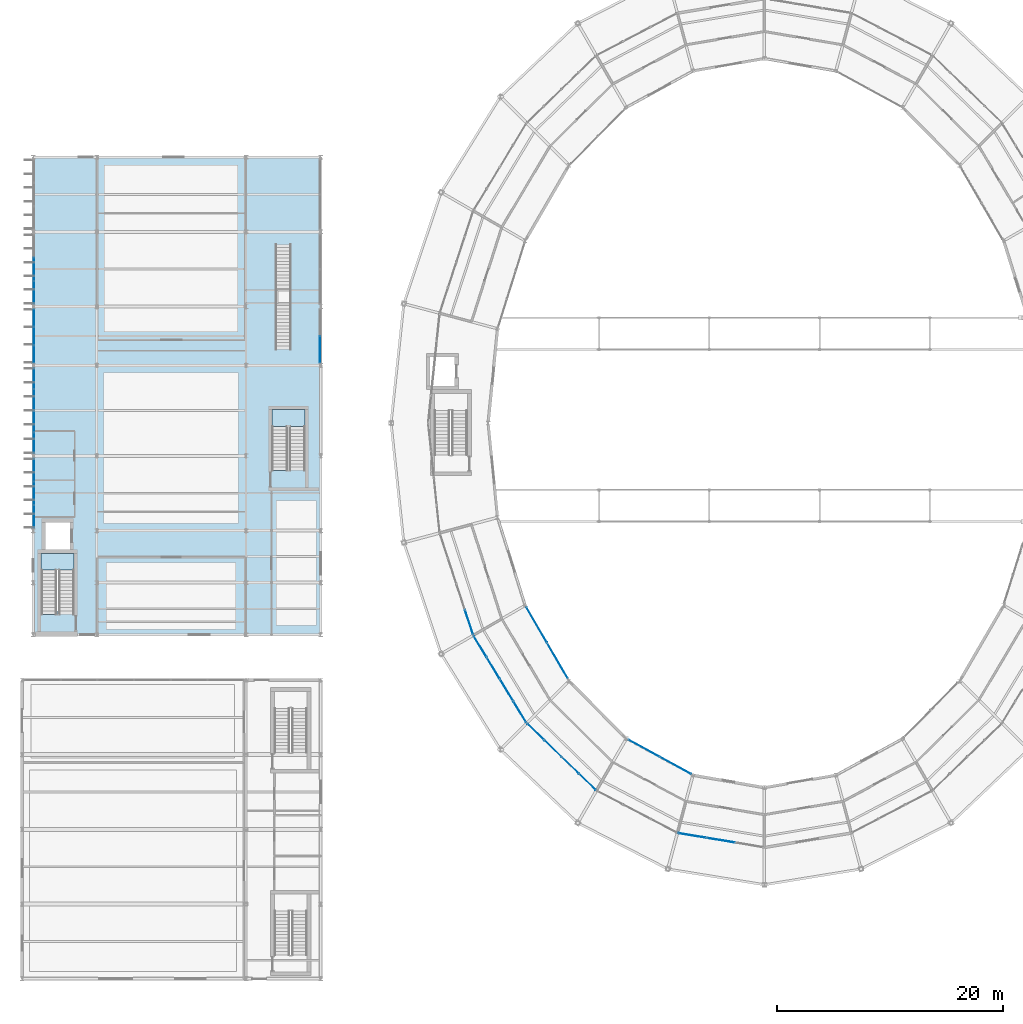
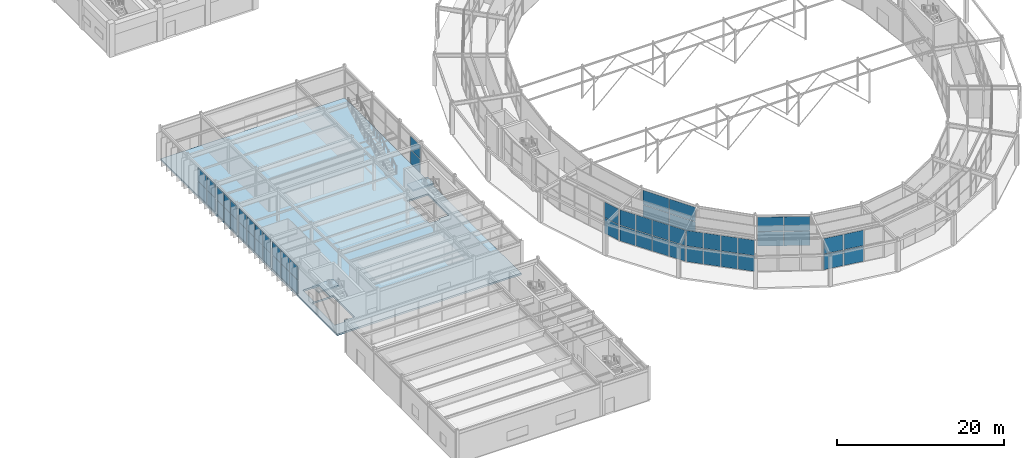
# One storey, part 100 of 144: 56 plates, 3 slabs, 13 elements without a shape of their own.
"""IFC4 building model written with IfcOpenShell, lengths in metres."""

from ifc_helpers import new_model, si_unit, direction, frame, origin, origin_2d, place, context, subcontext, project, spatial, polyline, rectangle, outline, extrude, material, layer, layer_set, type_object, element, aggregate, save


model = new_model("IFC4")

# Units and contexts
model_context = context("Model", 3, precision=1e-05, world=origin(), true_north=direction((0.0, 1.0)))
body_context = subcontext(model_context, "Body", "Model", "MODEL_VIEW")
ifc_project = project(units=[si_unit("LENGTHUNIT", "METRE"), si_unit("AREAUNIT", "SQUARE_METRE"), si_unit("VOLUMEUNIT", "CUBIC_METRE"), si_unit("PLANEANGLEUNIT", "RADIAN"), si_unit("MASSUNIT", "GRAM", prefix="KILO")], contexts=[model_context])

# Site, building, storey
site_placement = place(None, origin())
site = spatial("IfcSite", under=ifc_project, at=site_placement, CompositionType="ELEMENT")
building_placement = place(site_placement, origin())
building = spatial("IfcBuilding", under=site, at=building_placement, Name="Karori Crest Natural Sciences Institute", CompositionType="ELEMENT")
storey_placement = place(building_placement, origin())
storey = spatial("IfcBuildingStorey", under=building, at=storey_placement, Name="L00", CompositionType="ELEMENT", Elevation=0.0)

# Curtain wall, plates
ifc_material_1 = material(Name="Anodised architectural aluminium 6063-T6", Category="aluminium")
curtain_wall_type_1 = type_object("IfcCurtainWallType", Name="CWT-15", PredefinedType="NOTDEFINED", material=ifc_material_1)
curtain_wall_1_placement = place(storey_placement, origin())
curtain_wall_1 = element("IfcCurtainWall", 1, at=curtain_wall_1_placement, inside=storey, type_object=curtain_wall_type_1, Name="Curtain wall CW-0019", PredefinedType="NOTDEFINED")
ifc_material_2 = material(Name="Double low-E laminated glass", Category="glass")
ifc_layer_1 = layer(ifc_material_2, 0.02392578125, Name="Double low-E laminated glass")
ifc_layer_set_1 = layer_set([ifc_layer_1], Name="Double low-E laminated glass")
plate_type_1 = type_object("IfcPlateType", Name="CWP-01", PredefinedType="CURTAIN_PANEL", material=ifc_layer_set_1)
plate_1_placement = place(storey_placement, frame((46.274658203125, 32.070556640625, 0.06005859375), z_axis=(0.0, 0.0, 1.0), x_axis=(0.502659683982, -0.864484379326, 0.0)))
plate_1 = element("IfcPlate", 2, at=plate_1_placement, type_object=plate_type_1, Name="CW-0019 panel 1.1", PredefinedType="CURTAIN_PANEL", context=body_context, shape_type="SweptSolid", body=[
    extrude(rectangle(XDim=3.602294921875, YDim=0.02392578125, at=origin_2d()), origin(), (0.0, 0.0, 1.0), 2.0849609375),
])
plate_2_placement = place(storey_placement, frame((46.274658203125, 32.070556640625, 2.205078125), z_axis=(0.0, 0.0, 1.0), x_axis=(0.502659683982, -0.864484379326, 0.0)))
plate_2 = element("IfcPlate", 3, at=plate_2_placement, type_object=plate_type_1, Name="CW-0019 panel 1.2", PredefinedType="CURTAIN_PANEL", context=body_context, shape_type="SweptSolid", body=[
    extrude(rectangle(XDim=3.602294921875, YDim=0.02392578125, at=origin_2d()), origin(), (0.0, 0.0, 1.0), 2.0849609375),
])
plate_3_placement = place(storey_placement, frame((48.117919921875, 28.900146484375, 0.06005859375), z_axis=(0.0, 0.0, 1.0), x_axis=(0.502659683982, -0.864484379326, 0.0)))
plate_3 = element("IfcPlate", 4, at=plate_3_placement, type_object=plate_type_1, Name="CW-0019 panel 2.1", PredefinedType="CURTAIN_PANEL", context=body_context, shape_type="SweptSolid", body=[
    extrude(rectangle(XDim=3.602294921875, YDim=0.02392578125, at=origin_2d()), origin(), (0.0, 0.0, 1.0), 2.0849609375),
])
plate_4_placement = place(storey_placement, frame((48.117919921875, 28.900146484375, 2.205078125), z_axis=(0.0, 0.0, 1.0), x_axis=(0.502659683982, -0.864484379326, 0.0)))
plate_4 = element("IfcPlate", 5, at=plate_4_placement, type_object=plate_type_1, Name="CW-0019 panel 2.2", PredefinedType="CURTAIN_PANEL", context=body_context, shape_type="SweptSolid", body=[
    extrude(rectangle(XDim=3.602294921875, YDim=0.02392578125, at=origin_2d()), origin(), (0.0, 0.0, 1.0), 2.0849609375),
])
aggregate(curtain_wall_1, [plate_1, plate_2, plate_3, plate_4])

curtain_wall_type_2 = type_object("IfcCurtainWallType", Name="CWT-06", PredefinedType="NOTDEFINED", material=ifc_material_1)
curtain_wall_2_placement = place(storey_placement, origin())
curtain_wall_2 = element("IfcCurtainWall", 6, at=curtain_wall_2_placement, inside=storey, type_object=curtain_wall_type_2, Name="Curtain wall CW-0020", PredefinedType="NOTDEFINED")
plate_5_placement = place(storey_placement, frame((50.7568359375, 18.1923828125, 0.06005859375), z_axis=(0.0, 0.0, 1.0), x_axis=(-0.718197901752, 0.695838899401, 0.0)))
plate_5 = element("IfcPlate", 7, at=plate_5_placement, type_object=plate_type_1, Name="CW-0020 panel 1.1", PredefinedType="CURTAIN_PANEL", context=body_context, shape_type="SweptSolid", body=[
    extrude(rectangle(XDim=2.0185546875, YDim=0.02392578125, at=origin_2d()), origin(), (0.0, 0.0, 1.0), 2.25),
])
plate_6_placement = place(storey_placement, frame((50.7568359375, 18.1923828125, 2.3701171875), z_axis=(0.0, 0.0, 1.0), x_axis=(-0.718197901752, 0.695838899401, 0.0)))
plate_6 = element("IfcPlate", 8, at=plate_6_placement, type_object=plate_type_1, Name="CW-0020 panel 1.2", PredefinedType="CURTAIN_PANEL", context=body_context, shape_type="SweptSolid", body=[
    extrude(rectangle(XDim=2.0185546875, YDim=0.02392578125, at=origin_2d()), origin(), (0.0, 0.0, 1.0), 2.25),
])
plate_7_placement = place(storey_placement, frame((49.23974609375, 19.662353515625, 0.06005859375), z_axis=(0.0, 0.0, 1.0), x_axis=(-0.718197901752, 0.695838899401, 0.0)))
plate_7 = element("IfcPlate", 9, at=plate_7_placement, type_object=plate_type_1, Name="CW-0020 panel 2.1", PredefinedType="CURTAIN_PANEL", context=body_context, shape_type="SweptSolid", body=[
    extrude(rectangle(XDim=2.05615234375, YDim=0.02392578125, at=origin_2d()), origin(), (0.0, 0.0, 1.0), 2.25),
])
plate_8_placement = place(storey_placement, frame((49.23974609375, 19.662353515625, 2.3701171875), z_axis=(0.0, 0.0, 1.0), x_axis=(-0.718197901752, 0.695838899401, 0.0)))
plate_8 = element("IfcPlate", 10, at=plate_8_placement, type_object=plate_type_1, Name="CW-0020 panel 2.2", PredefinedType="CURTAIN_PANEL", context=body_context, shape_type="SweptSolid", body=[
    extrude(rectangle(XDim=2.05615234375, YDim=0.02392578125, at=origin_2d()), origin(), (0.0, 0.0, 1.0), 2.25),
])
plate_9_placement = place(storey_placement, frame((47.709228515625, 21.145263671875, 0.06005859375), z_axis=(0.0, 0.0, 1.0), x_axis=(-0.718197901752, 0.695838899401, 0.0)))
plate_9 = element("IfcPlate", 11, at=plate_9_placement, type_object=plate_type_1, Name="CW-0020 panel 3.1", PredefinedType="CURTAIN_PANEL", context=body_context, shape_type="SweptSolid", body=[
    extrude(rectangle(XDim=2.05615234375, YDim=0.02392578125, at=origin_2d()), origin(), (0.0, 0.0, 1.0), 2.25),
])
plate_10_placement = place(storey_placement, frame((47.709228515625, 21.145263671875, 2.3701171875), z_axis=(0.0, 0.0, 1.0), x_axis=(-0.718197901752, 0.695838899401, 0.0)))
plate_10 = element("IfcPlate", 12, at=plate_10_placement, type_object=plate_type_1, Name="CW-0020 panel 3.2", PredefinedType="CURTAIN_PANEL", context=body_context, shape_type="SweptSolid", body=[
    extrude(rectangle(XDim=2.05615234375, YDim=0.02392578125, at=origin_2d()), origin(), (0.0, 0.0, 1.0), 2.25),
])
plate_11_placement = place(storey_placement, frame((46.192138671875, 22.614990234375, 0.06005859375), z_axis=(0.0, 0.0, 1.0), x_axis=(-0.718197901752, 0.695838899401, 0.0)))
plate_11 = element("IfcPlate", 13, at=plate_11_placement, type_object=plate_type_1, Name="CW-0020 panel 4.1", PredefinedType="CURTAIN_PANEL", context=body_context, shape_type="SweptSolid", body=[
    extrude(rectangle(XDim=2.0185546875, YDim=0.02392578125, at=origin_2d()), origin(), (0.0, 0.0, 1.0), 2.25),
])
plate_12_placement = place(storey_placement, frame((46.192138671875, 22.614990234375, 2.3701171875), z_axis=(0.0, 0.0, 1.0), x_axis=(-0.718197901752, 0.695838899401, 0.0)))
plate_12 = element("IfcPlate", 14, at=plate_12_placement, type_object=plate_type_1, Name="CW-0020 panel 4.2", PredefinedType="CURTAIN_PANEL", context=body_context, shape_type="SweptSolid", body=[
    extrude(rectangle(XDim=2.0185546875, YDim=0.02392578125, at=origin_2d()), origin(), (0.0, 0.0, 1.0), 2.25),
])
aggregate(curtain_wall_2, [plate_5, plate_6, plate_7, plate_8, plate_9, plate_10, plate_11, plate_12])

curtain_wall_type_3 = type_object("IfcCurtainWallType", Name="CWT-12", PredefinedType="NOTDEFINED", material=ifc_material_1)
curtain_wall_3_placement = place(storey_placement, origin())
curtain_wall_3 = element("IfcCurtainWall", 15, at=curtain_wall_3_placement, inside=storey, type_object=curtain_wall_type_3, Name="Curtain wall CW-0022", PredefinedType="NOTDEFINED")
plate_13_placement = place(storey_placement, frame((55.76904296875, 21.15625, 0.06005859375), z_axis=(0.0, 0.0, 1.0), x_axis=(0.877463514084, -0.479643389875, 0.0)))
plate_13 = element("IfcPlate", 16, at=plate_13_placement, type_object=plate_type_1, Name="CW-0022 panel 1.1", PredefinedType="CURTAIN_PANEL", context=body_context, shape_type="SweptSolid", body=[
    extrude(rectangle(XDim=3.102783203125, YDim=0.02392578125, at=origin_2d()), origin(), (0.0, 0.0, 1.0), 2.0849609375),
])
plate_14_placement = place(storey_placement, frame((55.76904296875, 21.15625, 2.205078125), z_axis=(0.0, 0.0, 1.0), x_axis=(0.877463514084, -0.479643389875, 0.0)))
plate_14 = element("IfcPlate", 17, at=plate_14_placement, type_object=plate_type_1, Name="CW-0022 panel 1.2", PredefinedType="CURTAIN_PANEL", context=body_context, shape_type="SweptSolid", body=[
    extrude(rectangle(XDim=3.102783203125, YDim=0.02392578125, at=origin_2d()), origin(), (0.0, 0.0, 1.0), 2.0849609375),
])
plate_15_placement = place(storey_placement, frame((58.548583984375, 19.636962890625, 0.06005859375), z_axis=(0.0, 0.0, 1.0), x_axis=(0.877463514084, -0.479643389875, 0.0)))
plate_15 = element("IfcPlate", 18, at=plate_15_placement, type_object=plate_type_1, Name="CW-0022 panel 2.1", PredefinedType="CURTAIN_PANEL", context=body_context, shape_type="SweptSolid", body=[
    extrude(rectangle(XDim=3.102783203125, YDim=0.02392578125, at=origin_2d()), origin(), (0.0, 0.0, 1.0), 2.0849609375),
])
plate_16_placement = place(storey_placement, frame((58.548583984375, 19.636962890625, 2.205078125), z_axis=(0.0, 0.0, 1.0), x_axis=(0.877463514084, -0.479643389875, 0.0)))
plate_16 = element("IfcPlate", 19, at=plate_16_placement, type_object=plate_type_1, Name="CW-0022 panel 2.2", PredefinedType="CURTAIN_PANEL", context=body_context, shape_type="SweptSolid", body=[
    extrude(rectangle(XDim=3.102783203125, YDim=0.02392578125, at=origin_2d()), origin(), (0.0, 0.0, 1.0), 2.0849609375),
])
aggregate(curtain_wall_3, [plate_13, plate_14, plate_15, plate_16])

curtain_wall_type_4 = type_object("IfcCurtainWallType", Name="CWT-17", PredefinedType="NOTDEFINED", material=ifc_material_1)
curtain_wall_4_placement = place(storey_placement, origin())
curtain_wall_4 = element("IfcCurtainWall", 20, at=curtain_wall_4_placement, inside=storey, type_object=curtain_wall_type_4, Name="Curtain wall CW-0254", PredefinedType="NOTDEFINED")
plate_17_placement = place(storey_placement, frame((1.860107421875, 41.631591796875, 0.06005859375), z_axis=(0.0, 0.0, 1.0), x_axis=(0.0, 1.0, 0.0)))
plate_17 = element("IfcPlate", 21, at=plate_17_placement, type_object=plate_type_1, Name="CW-0254 panel 1.1", PredefinedType="CURTAIN_PANEL", context=body_context, shape_type="SweptSolid", body=[
    extrude(rectangle(XDim=1.987060546875, YDim=0.02392578125, at=origin_2d()), origin(), (0.0, 0.0, 1.0), 1.982421875),
])
plate_18_placement = place(storey_placement, frame((1.860107421875, 41.631591796875, 2.1025390625), z_axis=(0.0, 0.0, 1.0), x_axis=(0.0, 1.0, 0.0)))
plate_18 = element("IfcPlate", 22, at=plate_18_placement, type_object=plate_type_1, Name="CW-0254 panel 1.2", PredefinedType="CURTAIN_PANEL", context=body_context, shape_type="SweptSolid", body=[
    extrude(rectangle(XDim=1.987060546875, YDim=0.02392578125, at=origin_2d()), origin(), (0.0, 0.0, 1.0), 1.982421875),
])
plate_19_placement = place(storey_placement, frame((1.860107421875, 43.699951171875, 0.06005859375), z_axis=(0.0, 0.0, 1.0), x_axis=(0.0, 1.0, 0.0)))
plate_19 = element("IfcPlate", 23, at=plate_19_placement, type_object=plate_type_1, Name="CW-0254 panel 2.1", PredefinedType="CURTAIN_PANEL", context=body_context, shape_type="SweptSolid", body=[
    extrude(rectangle(XDim=2.019775390625, YDim=0.02392578125, at=origin_2d()), origin(), (0.0, 0.0, 1.0), 1.982421875),
])
plate_20_placement = place(storey_placement, frame((1.860107421875, 43.699951171875, 2.1025390625), z_axis=(0.0, 0.0, 1.0), x_axis=(0.0, 1.0, 0.0)))
plate_20 = element("IfcPlate", 24, at=plate_20_placement, type_object=plate_type_1, Name="CW-0254 panel 2.2", PredefinedType="CURTAIN_PANEL", context=body_context, shape_type="SweptSolid", body=[
    extrude(rectangle(XDim=2.019775390625, YDim=0.02392578125, at=origin_2d()), origin(), (0.0, 0.0, 1.0), 1.982421875),
])
plate_21_placement = place(storey_placement, frame((1.860107421875, 45.768310546875, 0.06005859375), z_axis=(0.0, 0.0, 1.0), x_axis=(0.0, 1.0, 0.0)))
plate_21 = element("IfcPlate", 25, at=plate_21_placement, type_object=plate_type_1, Name="CW-0254 panel 3.1", PredefinedType="CURTAIN_PANEL", context=body_context, shape_type="SweptSolid", body=[
    extrude(rectangle(XDim=1.987060546875, YDim=0.02392578125, at=origin_2d()), origin(), (0.0, 0.0, 1.0), 1.982421875),
])
plate_22_placement = place(storey_placement, frame((1.860107421875, 45.768310546875, 2.1025390625), z_axis=(0.0, 0.0, 1.0), x_axis=(0.0, 1.0, 0.0)))
plate_22 = element("IfcPlate", 26, at=plate_22_placement, type_object=plate_type_1, Name="CW-0254 panel 3.2", PredefinedType="CURTAIN_PANEL", context=body_context, shape_type="SweptSolid", body=[
    extrude(rectangle(XDim=1.987060546875, YDim=0.02392578125, at=origin_2d()), origin(), (0.0, 0.0, 1.0), 1.982421875),
])
aggregate(curtain_wall_4, [plate_17, plate_18, plate_19, plate_20, plate_21, plate_22])

curtain_wall_5_placement = place(storey_placement, origin())
curtain_wall_5 = element("IfcCurtainWall", 27, at=curtain_wall_5_placement, inside=storey, type_object=curtain_wall_type_4, Name="Curtain wall CW-0255", PredefinedType="NOTDEFINED")
plate_23_placement = place(storey_placement, frame((1.860107421875, 48.14599609375, 0.06005859375), z_axis=(0.0, 0.0, 1.0), x_axis=(0.0, 1.0, 0.0)))
plate_23 = element("IfcPlate", 28, at=plate_23_placement, type_object=plate_type_1, Name="CW-0255 panel 1.1", PredefinedType="CURTAIN_PANEL", context=body_context, shape_type="SweptSolid", body=[
    extrude(rectangle(XDim=1.81591796875, YDim=0.02392578125, at=origin_2d()), origin(), (0.0, 0.0, 1.0), 1.982421875),
])
plate_24_placement = place(storey_placement, frame((1.860107421875, 48.14599609375, 2.1025390625), z_axis=(0.0, 0.0, 1.0), x_axis=(0.0, 1.0, 0.0)))
plate_24 = element("IfcPlate", 29, at=plate_24_placement, type_object=plate_type_1, Name="CW-0255 panel 1.2", PredefinedType="CURTAIN_PANEL", context=body_context, shape_type="SweptSolid", body=[
    extrude(rectangle(XDim=1.81591796875, YDim=0.02392578125, at=origin_2d()), origin(), (0.0, 0.0, 1.0), 1.982421875),
])
plate_25_placement = place(storey_placement, frame((1.860107421875, 50.043212890625, 0.06005859375), z_axis=(0.0, 0.0, 1.0), x_axis=(0.0, 1.0, 0.0)))
plate_25 = element("IfcPlate", 30, at=plate_25_placement, type_object=plate_type_1, Name="CW-0255 panel 2.1", PredefinedType="CURTAIN_PANEL", context=body_context, shape_type="SweptSolid", body=[
    extrude(rectangle(XDim=1.848388671875, YDim=0.02392578125, at=origin_2d()), origin(), (0.0, 0.0, 1.0), 1.982421875),
])
plate_26_placement = place(storey_placement, frame((1.860107421875, 50.043212890625, 2.1025390625), z_axis=(0.0, 0.0, 1.0), x_axis=(0.0, 1.0, 0.0)))
plate_26 = element("IfcPlate", 31, at=plate_26_placement, type_object=plate_type_1, Name="CW-0255 panel 2.2", PredefinedType="CURTAIN_PANEL", context=body_context, shape_type="SweptSolid", body=[
    extrude(rectangle(XDim=1.848388671875, YDim=0.02392578125, at=origin_2d()), origin(), (0.0, 0.0, 1.0), 1.982421875),
])
plate_27_placement = place(storey_placement, frame((1.860107421875, 51.956787109375, 0.06005859375), z_axis=(0.0, 0.0, 1.0), x_axis=(0.0, 1.0, 0.0)))
plate_27 = element("IfcPlate", 32, at=plate_27_placement, type_object=plate_type_1, Name="CW-0255 panel 3.1", PredefinedType="CURTAIN_PANEL", context=body_context, shape_type="SweptSolid", body=[
    extrude(rectangle(XDim=1.848388671875, YDim=0.02392578125, at=origin_2d()), origin(), (0.0, 0.0, 1.0), 1.982421875),
])
plate_28_placement = place(storey_placement, frame((1.860107421875, 51.956787109375, 2.1025390625), z_axis=(0.0, 0.0, 1.0), x_axis=(0.0, 1.0, 0.0)))
plate_28 = element("IfcPlate", 33, at=plate_28_placement, type_object=plate_type_1, Name="CW-0255 panel 3.2", PredefinedType="CURTAIN_PANEL", context=body_context, shape_type="SweptSolid", body=[
    extrude(rectangle(XDim=1.848388671875, YDim=0.02392578125, at=origin_2d()), origin(), (0.0, 0.0, 1.0), 1.982421875),
])
plate_29_placement = place(storey_placement, frame((1.860107421875, 53.85400390625, 0.06005859375), z_axis=(0.0, 0.0, 1.0), x_axis=(0.0, 1.0, 0.0)))
plate_29 = element("IfcPlate", 34, at=plate_29_placement, type_object=plate_type_1, Name="CW-0255 panel 4.1", PredefinedType="CURTAIN_PANEL", context=body_context, shape_type="SweptSolid", body=[
    extrude(rectangle(XDim=1.81591796875, YDim=0.02392578125, at=origin_2d()), origin(), (0.0, 0.0, 1.0), 1.982421875),
])
plate_30_placement = place(storey_placement, frame((1.860107421875, 53.85400390625, 2.1025390625), z_axis=(0.0, 0.0, 1.0), x_axis=(0.0, 1.0, 0.0)))
plate_30 = element("IfcPlate", 35, at=plate_30_placement, type_object=plate_type_1, Name="CW-0255 panel 4.2", PredefinedType="CURTAIN_PANEL", context=body_context, shape_type="SweptSolid", body=[
    extrude(rectangle(XDim=1.81591796875, YDim=0.02392578125, at=origin_2d()), origin(), (0.0, 0.0, 1.0), 1.982421875),
])
aggregate(curtain_wall_5, [plate_23, plate_24, plate_25, plate_26, plate_27, plate_28, plate_29, plate_30])

curtain_wall_6_placement = place(storey_placement, origin())
curtain_wall_6 = element("IfcCurtainWall", 36, at=curtain_wall_6_placement, inside=storey, type_object=curtain_wall_type_4, Name="Curtain wall CW-0256", PredefinedType="NOTDEFINED")
plate_31_placement = place(storey_placement, frame((1.860107421875, 55.998291015625, 0.06005859375), z_axis=(0.0, 0.0, 1.0), x_axis=(0.0, 1.0, 0.0)))
plate_31 = element("IfcPlate", 37, at=plate_31_placement, type_object=plate_type_1, Name="CW-0256 panel 1.1", PredefinedType="CURTAIN_PANEL", context=body_context, shape_type="SweptSolid", body=[
    extrude(rectangle(XDim=1.5205078125, YDim=0.02392578125, at=origin_2d()), origin(), (0.0, 0.0, 1.0), 1.982421875),
])
plate_32_placement = place(storey_placement, frame((1.860107421875, 55.998291015625, 2.1025390625), z_axis=(0.0, 0.0, 1.0), x_axis=(0.0, 1.0, 0.0)))
plate_32 = element("IfcPlate", 38, at=plate_32_placement, type_object=plate_type_1, Name="CW-0256 panel 1.2", PredefinedType="CURTAIN_PANEL", context=body_context, shape_type="SweptSolid", body=[
    extrude(rectangle(XDim=1.5205078125, YDim=0.02392578125, at=origin_2d()), origin(), (0.0, 0.0, 1.0), 1.982421875),
])
plate_33_placement = place(storey_placement, frame((1.860107421875, 57.60009765625, 0.06005859375), z_axis=(0.0, 0.0, 1.0), x_axis=(0.0, 1.0, 0.0)))
plate_33 = element("IfcPlate", 39, at=plate_33_placement, type_object=plate_type_1, Name="CW-0256 panel 2.1", PredefinedType="CURTAIN_PANEL", context=body_context, shape_type="SweptSolid", body=[
    extrude(rectangle(XDim=1.552978515625, YDim=0.02392578125, at=origin_2d()), origin(), (0.0, 0.0, 1.0), 1.982421875),
])
plate_34_placement = place(storey_placement, frame((1.860107421875, 57.60009765625, 2.1025390625), z_axis=(0.0, 0.0, 1.0), x_axis=(0.0, 1.0, 0.0)))
plate_34 = element("IfcPlate", 40, at=plate_34_placement, type_object=plate_type_1, Name="CW-0256 panel 2.2", PredefinedType="CURTAIN_PANEL", context=body_context, shape_type="SweptSolid", body=[
    extrude(rectangle(XDim=1.552978515625, YDim=0.02392578125, at=origin_2d()), origin(), (0.0, 0.0, 1.0), 1.982421875),
])
plate_35_placement = place(storey_placement, frame((1.860107421875, 59.20166015625, 0.06005859375), z_axis=(0.0, 0.0, 1.0), x_axis=(0.0, 1.0, 0.0)))
plate_35 = element("IfcPlate", 41, at=plate_35_placement, type_object=plate_type_1, Name="CW-0256 panel 3.1", PredefinedType="CURTAIN_PANEL", context=body_context, shape_type="SweptSolid", body=[
    extrude(rectangle(XDim=1.5205078125, YDim=0.02392578125, at=origin_2d()), origin(), (0.0, 0.0, 1.0), 1.982421875),
])
plate_36_placement = place(storey_placement, frame((1.860107421875, 59.20166015625, 2.1025390625), z_axis=(0.0, 0.0, 1.0), x_axis=(0.0, 1.0, 0.0)))
plate_36 = element("IfcPlate", 42, at=plate_36_placement, type_object=plate_type_1, Name="CW-0256 panel 3.2", PredefinedType="CURTAIN_PANEL", context=body_context, shape_type="SweptSolid", body=[
    extrude(rectangle(XDim=1.5205078125, YDim=0.02392578125, at=origin_2d()), origin(), (0.0, 0.0, 1.0), 1.982421875),
])
aggregate(curtain_wall_6, [plate_31, plate_32, plate_33, plate_34, plate_35, plate_36])

curtain_wall_7_placement = place(storey_placement, origin())
curtain_wall_7 = element("IfcCurtainWall", 43, at=curtain_wall_7_placement, inside=storey, type_object=curtain_wall_type_4, Name="Curtain wall CW-0257", PredefinedType="NOTDEFINED")
plate_37_placement = place(storey_placement, frame((1.860107421875, 61.431640625, 0.06005859375), z_axis=(0.0, 0.0, 1.0), x_axis=(0.0, 1.0, 0.0)))
plate_37 = element("IfcPlate", 44, at=plate_37_placement, type_object=plate_type_1, Name="CW-0257 panel 1.1", PredefinedType="CURTAIN_PANEL", context=body_context, shape_type="SweptSolid", body=[
    extrude(rectangle(XDim=1.987060546875, YDim=0.02392578125, at=origin_2d()), origin(), (0.0, 0.0, 1.0), 1.982421875),
])
plate_38_placement = place(storey_placement, frame((1.860107421875, 61.431640625, 2.1025390625), z_axis=(0.0, 0.0, 1.0), x_axis=(0.0, 1.0, 0.0)))
plate_38 = element("IfcPlate", 45, at=plate_38_placement, type_object=plate_type_1, Name="CW-0257 panel 1.2", PredefinedType="CURTAIN_PANEL", context=body_context, shape_type="SweptSolid", body=[
    extrude(rectangle(XDim=1.987060546875, YDim=0.02392578125, at=origin_2d()), origin(), (0.0, 0.0, 1.0), 1.982421875),
])
plate_39_placement = place(storey_placement, frame((1.860107421875, 63.5, 0.06005859375), z_axis=(0.0, 0.0, 1.0), x_axis=(0.0, 1.0, 0.0)))
plate_39 = element("IfcPlate", 46, at=plate_39_placement, type_object=plate_type_1, Name="CW-0257 panel 2.1", PredefinedType="CURTAIN_PANEL", context=body_context, shape_type="SweptSolid", body=[
    extrude(rectangle(XDim=2.019775390625, YDim=0.02392578125, at=origin_2d()), origin(), (0.0, 0.0, 1.0), 1.982421875),
])
plate_40_placement = place(storey_placement, frame((1.860107421875, 63.5, 2.1025390625), z_axis=(0.0, 0.0, 1.0), x_axis=(0.0, 1.0, 0.0)))
plate_40 = element("IfcPlate", 47, at=plate_40_placement, type_object=plate_type_1, Name="CW-0257 panel 2.2", PredefinedType="CURTAIN_PANEL", context=body_context, shape_type="SweptSolid", body=[
    extrude(rectangle(XDim=2.019775390625, YDim=0.02392578125, at=origin_2d()), origin(), (0.0, 0.0, 1.0), 1.982421875),
])
aggregate(curtain_wall_7, [plate_37, plate_38, plate_39, plate_40])

curtain_wall_type_5 = type_object("IfcCurtainWallType", Name="CWT-18", PredefinedType="NOTDEFINED", material=ifc_material_1)
curtain_wall_8_placement = place(storey_placement, origin())
curtain_wall_8 = element("IfcCurtainWall", 48, at=curtain_wall_8_placement, inside=storey, type_object=curtain_wall_type_5, Name="Curtain wall CW-0259", PredefinedType="NOTDEFINED")
plate_41_placement = place(storey_placement, frame((27.139892578125, 56.40283203125, 0.06005859375), z_axis=(0.0, 0.0, 1.0), x_axis=(0.0, -1.0, 0.0)))
plate_41 = element("IfcPlate", 49, at=plate_41_placement, type_object=plate_type_1, Name="CW-0259 panel 2.1", PredefinedType="CURTAIN_PANEL", context=body_context, shape_type="SweptSolid", body=[
    extrude(rectangle(XDim=2.32958984375, YDim=0.02392578125, at=origin_2d()), origin(), (0.0, 0.0, 1.0), 1.982421875),
])
plate_42_placement = place(storey_placement, frame((27.139892578125, 56.40283203125, 2.1025390625), z_axis=(0.0, 0.0, 1.0), x_axis=(0.0, -1.0, 0.0)))
plate_42 = element("IfcPlate", 50, at=plate_42_placement, type_object=plate_type_1, Name="CW-0259 panel 2.2", PredefinedType="CURTAIN_PANEL", context=body_context, shape_type="SweptSolid", body=[
    extrude(rectangle(XDim=2.32958984375, YDim=0.02392578125, at=origin_2d()), origin(), (0.0, 0.0, 1.0), 1.982421875),
])
aggregate(curtain_wall_8, [plate_41, plate_42])

curtain_wall_type_6 = type_object("IfcCurtainWallType", Name="CWT-04", PredefinedType="NOTDEFINED", material=ifc_material_1)
curtain_wall_9_placement = place(storey_placement, origin())
curtain_wall_9 = element("IfcCurtainWall", 51, at=curtain_wall_9_placement, inside=storey, type_object=curtain_wall_type_6, Name="Curtain wall CW-0017", PredefinedType="NOTDEFINED")
ifc_layer_2 = layer(ifc_material_2, 0.033935546875, Name="Double low-E laminated glass")
ifc_layer_set_2 = layer_set([ifc_layer_2], Name="Double low-E laminated glass")
plate_type_2 = type_object("IfcPlateType", Name="CWP-02", PredefinedType="CURTAIN_PANEL", material=ifc_layer_set_2)
plate_43_placement = place(storey_placement, frame((40.297607421875, 32.3125, 0.06005859375), z_axis=(0.0, 0.0, 1.0), x_axis=(-0.311714013584, 0.950175969879, 0.0)))
plate_43 = element("IfcPlate", 52, at=plate_43_placement, type_object=plate_type_2, Name="CW-0017 panel 1.1", PredefinedType="CURTAIN_PANEL", context=body_context, shape_type="SweptSolid", body=[
    extrude(rectangle(XDim=2.257080078125, YDim=0.033935546875, at=origin_2d()), origin(), (0.0, 0.0, 1.0), 2.25),
])
plate_44_placement = place(storey_placement, frame((40.297607421875, 32.3125, 2.3701171875), z_axis=(0.0, 0.0, 1.0), x_axis=(-0.311714013584, 0.950175969879, 0.0)))
plate_44 = element("IfcPlate", 53, at=plate_44_placement, type_object=plate_type_2, Name="CW-0017 panel 1.2", PredefinedType="CURTAIN_PANEL", context=body_context, shape_type="SweptSolid", body=[
    extrude(rectangle(XDim=2.257080078125, YDim=0.033935546875, at=origin_2d()), origin(), (0.0, 0.0, 1.0), 2.25),
])
aggregate(curtain_wall_9, [plate_43, plate_44])

curtain_wall_type_7 = type_object("IfcCurtainWallType", Name="CWT-05", PredefinedType="NOTDEFINED", material=ifc_material_1)
curtain_wall_10_placement = place(storey_placement, origin())
curtain_wall_10 = element("IfcCurtainWall", 54, at=curtain_wall_10_placement, inside=storey, type_object=curtain_wall_type_7, Name="Curtain wall CW-0018", PredefinedType="NOTDEFINED")
ifc_layer_3 = layer(ifc_material_2, 0.0439453125, Name="Double low-E laminated glass")
ifc_layer_set_3 = layer_set([ifc_layer_3], Name="Double low-E laminated glass")
plate_type_3 = type_object("IfcPlateType", Name="CWP-03", PredefinedType="CURTAIN_PANEL", material=ifc_layer_set_3)
plate_45_placement = place(storey_placement, frame((44.791259765625, 24.383056640625, 0.06494140625), z_axis=(0.0, 0.0, 1.0), x_axis=(-0.519340606905, 0.854567337323, 0.0)))
plate_45 = element("IfcPlate", 55, at=plate_45_placement, type_object=plate_type_3, Name="CW-0018 panel 1.1", PredefinedType="CURTAIN_PANEL", context=body_context, shape_type="SweptSolid", body=[
    extrude(rectangle(XDim=2.149658203125, YDim=0.0439453125, at=origin_2d()), origin(), (0.0, 0.0, 1.0), 2.242431640625),
])
plate_46_placement = place(storey_placement, frame((44.791259765625, 24.383056640625, 2.37255859375), z_axis=(0.0, 0.0, 1.0), x_axis=(-0.519340606905, 0.854567337323, 0.0)))
plate_46 = element("IfcPlate", 56, at=plate_46_placement, type_object=plate_type_3, Name="CW-0018 panel 1.2", PredefinedType="CURTAIN_PANEL", context=body_context, shape_type="SweptSolid", body=[
    extrude(rectangle(XDim=2.149658203125, YDim=0.0439453125, at=origin_2d()), origin(), (0.0, 0.0, 1.0), 2.242431640625),
])
plate_47_placement = place(storey_placement, frame((43.626220703125, 26.30029296875, 0.06494140625), z_axis=(0.0, 0.0, 1.0), x_axis=(-0.519340606905, 0.854567337323, 0.0)))
plate_47 = element("IfcPlate", 57, at=plate_47_placement, type_object=plate_type_3, Name="CW-0018 panel 2.1", PredefinedType="CURTAIN_PANEL", context=body_context, shape_type="SweptSolid", body=[
    extrude(rectangle(XDim=2.18701171875, YDim=0.0439453125, at=origin_2d()), origin(), (0.0, 0.0, 1.0), 2.242431640625),
])
plate_48_placement = place(storey_placement, frame((43.626220703125, 26.30029296875, 2.37255859375), z_axis=(0.0, 0.0, 1.0), x_axis=(-0.519340606905, 0.854567337323, 0.0)))
plate_48 = element("IfcPlate", 58, at=plate_48_placement, type_object=plate_type_3, Name="CW-0018 panel 2.2", PredefinedType="CURTAIN_PANEL", context=body_context, shape_type="SweptSolid", body=[
    extrude(rectangle(XDim=2.18701171875, YDim=0.0439453125, at=origin_2d()), origin(), (0.0, 0.0, 1.0), 2.242431640625),
])
plate_49_placement = place(storey_placement, frame((42.45166015625, 28.2333984375, 0.06494140625), z_axis=(0.0, 0.0, 1.0), x_axis=(-0.519340606905, 0.854567337323, 0.0)))
plate_49 = element("IfcPlate", 59, at=plate_49_placement, type_object=plate_type_3, Name="CW-0018 panel 3.1", PredefinedType="CURTAIN_PANEL", context=body_context, shape_type="SweptSolid", body=[
    extrude(rectangle(XDim=2.18701171875, YDim=0.0439453125, at=origin_2d()), origin(), (0.0, 0.0, 1.0), 2.242431640625),
])
plate_50_placement = place(storey_placement, frame((42.45166015625, 28.2333984375, 2.37255859375), z_axis=(0.0, 0.0, 1.0), x_axis=(-0.519340606905, 0.854567337323, 0.0)))
plate_50 = element("IfcPlate", 60, at=plate_50_placement, type_object=plate_type_3, Name="CW-0018 panel 3.2", PredefinedType="CURTAIN_PANEL", context=body_context, shape_type="SweptSolid", body=[
    extrude(rectangle(XDim=2.18701171875, YDim=0.0439453125, at=origin_2d()), origin(), (0.0, 0.0, 1.0), 2.242431640625),
])
plate_51_placement = place(storey_placement, frame((41.28662109375, 30.150390625, 0.06494140625), z_axis=(0.0, 0.0, 1.0), x_axis=(-0.519340606905, 0.854567337323, 0.0)))
plate_51 = element("IfcPlate", 61, at=plate_51_placement, type_object=plate_type_3, Name="CW-0018 panel 4.1", PredefinedType="CURTAIN_PANEL", context=body_context, shape_type="SweptSolid", body=[
    extrude(rectangle(XDim=2.149658203125, YDim=0.0439453125, at=origin_2d()), origin(), (0.0, 0.0, 1.0), 2.242431640625),
])
plate_52_placement = place(storey_placement, frame((41.28662109375, 30.150390625, 2.37255859375), z_axis=(0.0, 0.0, 1.0), x_axis=(-0.519340606905, 0.854567337323, 0.0)))
plate_52 = element("IfcPlate", 62, at=plate_52_placement, type_object=plate_type_3, Name="CW-0018 panel 4.2", PredefinedType="CURTAIN_PANEL", context=body_context, shape_type="SweptSolid", body=[
    extrude(rectangle(XDim=2.149658203125, YDim=0.0439453125, at=origin_2d()), origin(), (0.0, 0.0, 1.0), 2.242431640625),
])
aggregate(curtain_wall_10, [plate_45, plate_46, plate_47, plate_48, plate_49, plate_50, plate_51, plate_52])

curtain_wall_type_8 = type_object("IfcCurtainWallType", Name="CWT-08", PredefinedType="NOTDEFINED", material=ifc_material_1)
curtain_wall_11_placement = place(storey_placement, origin())
curtain_wall_11 = element("IfcCurtainWall", 63, at=curtain_wall_11_placement, inside=storey, type_object=curtain_wall_type_8, Name="Curtain wall CW-0023", PredefinedType="NOTDEFINED")
plate_53_placement = place(storey_placement, frame((62.556640625, 13.038818359375, 0.06005859375), z_axis=(0.0, 0.0, 1.0), x_axis=(-0.986464603597, 0.1639743451, 0.0)))
plate_53 = element("IfcPlate", 64, at=plate_53_placement, type_object=plate_type_3, Name="CW-0023 panel 2.1", PredefinedType="CURTAIN_PANEL", context=body_context, shape_type="SweptSolid", body=[
    extrude(rectangle(XDim=2.509033203125, YDim=0.0439453125, at=origin_2d()), origin(), (0.0, 0.0, 1.0), 2.25),
])
plate_54_placement = place(storey_placement, frame((62.556640625, 13.038818359375, 2.3701171875), z_axis=(0.0, 0.0, 1.0), x_axis=(-0.986464603597, 0.1639743451, 0.0)))
plate_54 = element("IfcPlate", 65, at=plate_54_placement, type_object=plate_type_3, Name="CW-0023 panel 2.2", PredefinedType="CURTAIN_PANEL", context=body_context, shape_type="SweptSolid", body=[
    extrude(rectangle(XDim=2.509033203125, YDim=0.0439453125, at=origin_2d()), origin(), (0.0, 0.0, 1.0), 2.25),
])
plate_55_placement = place(storey_placement, frame((60.02587890625, 13.45947265625, 0.06005859375), z_axis=(0.0, 0.0, 1.0), x_axis=(-0.986464603597, 0.1639743451, 0.0)))
plate_55 = element("IfcPlate", 66, at=plate_55_placement, type_object=plate_type_3, Name="CW-0023 panel 3.1", PredefinedType="CURTAIN_PANEL", context=body_context, shape_type="SweptSolid", body=[
    extrude(rectangle(XDim=2.4716796875, YDim=0.0439453125, at=origin_2d()), origin(), (0.0, 0.0, 1.0), 2.25),
])
plate_56_placement = place(storey_placement, frame((60.02587890625, 13.45947265625, 2.3701171875), z_axis=(0.0, 0.0, 1.0), x_axis=(-0.986464603597, 0.1639743451, 0.0)))
plate_56 = element("IfcPlate", 67, at=plate_56_placement, type_object=plate_type_3, Name="CW-0023 panel 3.2", PredefinedType="CURTAIN_PANEL", context=body_context, shape_type="SweptSolid", body=[
    extrude(rectangle(XDim=2.4716796875, YDim=0.0439453125, at=origin_2d()), origin(), (0.0, 0.0, 1.0), 2.25),
])
aggregate(curtain_wall_11, [plate_53, plate_54, plate_55, plate_56])

# Slab
ifc_material_3 = material(Name="Concrete 40 MPa", Category="concrete")
ifc_layer_4 = layer(ifc_material_3, 0.260009765625, Name="Concrete 40 MPa")
ifc_layer_set_4 = layer_set([ifc_layer_4], Name="Concrete 40 MPa")
slab_type_1 = type_object("IfcSlabType", Name="SLT-05", PredefinedType="FLOOR", material=ifc_layer_set_4)
slab_1_placement = place(storey_placement, frame((0.0, 0.0, -0.260009765625)))
element("IfcSlab", 68, at=slab_1_placement, inside=storey, type_object=slab_type_1, Name="V3 Slab SL-0117", PredefinedType="FLOOR", context=body_context, shape_type="SweptSolid", body=[
    extrude(outline(polyline([(1.800048828125, 31.199951171875), (27.199951171875, 31.199951171875), (27.199951171875, 73.39990234375), (1.800048828125, 73.39990234375), (1.800048828125, 31.199951171875)]), holes=[polyline([(5.39990234375, 33.280029296875), (3.949951171875, 33.280029296875), (3.949951171875, 33.00048828125), (2.5, 33.00048828125), (2.5, 38.39990234375), (5.39990234375, 38.39990234375), (5.39990234375, 33.280029296875)]), polyline([(25.800048828125, 45.97998046875), (24.35009765625, 45.97998046875), (24.35009765625, 45.700439453125), (22.89990234375, 45.700439453125), (22.89990234375, 51.10009765625), (25.800048828125, 51.10009765625), (25.800048828125, 45.97998046875)]), polyline([(2.824951171875, 41.175048828125), (5.074951171875, 41.175048828125), (5.074951171875, 38.425048828125), (2.824951171875, 38.425048828125), (2.824951171875, 41.175048828125)])]), origin(), (0.0, 0.0, 1.0), 0.260009765625),
])

# Stair, slab
stair_type = type_object("IfcStairType", Name="STT-02", PredefinedType="HALF_TURN_STAIR", material=ifc_material_3)
stair_1_placement = place(storey_placement, origin())
stair_1 = element("IfcStair", 69, at=stair_1_placement, inside=storey, type_object=stair_type, Name="Protected stair ST-07-L00", PredefinedType="HALF_TURN_STAIR")
ifc_layer_5 = layer(ifc_material_3, 0.2099609375, Name="Concrete 40 MPa")
ifc_layer_set_5 = layer_set([ifc_layer_5], Name="Concrete 40 MPa")
slab_type_2 = type_object("IfcSlabType", Name="SLT-11", PredefinedType="LANDING", material=ifc_layer_set_5)
slab_2_placement = place(storey_placement, frame((0.0, 0.0, 2.239990234375)))
slab_2 = element("IfcSlab", 70, at=slab_2_placement, type_object=slab_type_2, Name="ST-07-L00 landing 1", PredefinedType="LANDING", context=body_context, shape_type="SweptSolid", body=[
    extrude(outline(polyline([(5.39990234375, 36.89990234375), (5.39990234375, 38.39990234375), (2.5, 38.39990234375), (2.5, 36.89990234375), (5.39990234375, 36.89990234375)])), origin(), (0.0, 0.0, 1.0), 0.2099609375),
])
aggregate(stair_1, [slab_2])

stair_2_placement = place(storey_placement, origin())
stair_2 = element("IfcStair", 71, at=stair_2_placement, inside=storey, type_object=stair_type, Name="Protected stair ST-08-L00", PredefinedType="HALF_TURN_STAIR")
slab_3_placement = place(storey_placement, frame((0.0, 0.0, 2.239990234375)))
slab_3 = element("IfcSlab", 72, at=slab_3_placement, type_object=slab_type_2, Name="ST-08-L00 landing 1", PredefinedType="LANDING", context=body_context, shape_type="SweptSolid", body=[
    extrude(outline(polyline([(25.800048828125, 49.60009765625), (25.800048828125, 51.10009765625), (22.89990234375, 51.10009765625), (22.89990234375, 49.60009765625), (25.800048828125, 49.60009765625)])), origin(), (0.0, 0.0, 1.0), 0.2099609375),
])
aggregate(stair_2, [slab_3])

save(model, "model.ifc")
